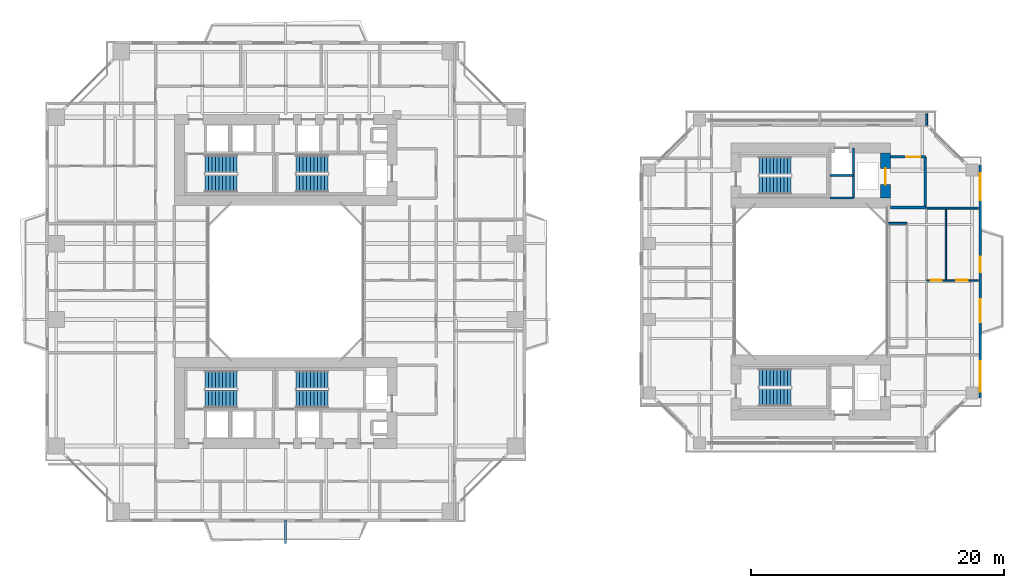
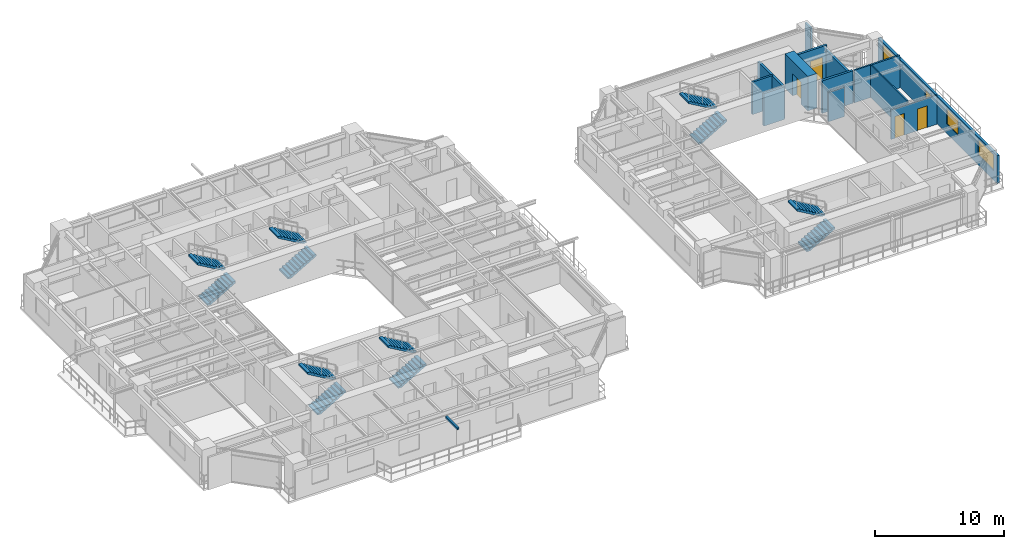
# One storey, part 18 of 23: 13 walls, 12 stair flights, 5 doors, 3 windows, 1 discrete accessory, 8 openings, 6 elements without a shape of their own.
"""IFC4 building model written with IfcOpenShell, lengths in metres."""

from ifc_helpers import new_model, si_unit, direction, frame, frame_2d, origin, origin_2d, place, context, subcontext, project, spatial, polyline, rectangle, outline, extrude, source, transform, mapped, material, layer, layer_set, type_object, element, fill, aggregate, save


model = new_model("IFC4")

# Units and contexts
model_context = context("Model", 3, precision=1e-05, world=origin(), true_north=direction((0.0, 1.0)))
body_context = subcontext(model_context, "Body", "Model", "MODEL_VIEW")
ifc_project = project(units=[si_unit("LENGTHUNIT", "METRE"), si_unit("AREAUNIT", "SQUARE_METRE"), si_unit("VOLUMEUNIT", "CUBIC_METRE"), si_unit("PLANEANGLEUNIT", "RADIAN"), si_unit("MASSUNIT", "GRAM", prefix="KILO"), si_unit("THERMODYNAMICTEMPERATUREUNIT", "KELVIN"), si_unit("POWERUNIT", "WATT")], contexts=[model_context])

# Site, building, storey
site_placement = place(None, origin())
site = spatial("IfcSite", under=ifc_project, at=site_placement, CompositionType="ELEMENT")
building_placement = place(site_placement, origin())
building = spatial("IfcBuilding", under=site, at=building_placement, Name="Qiaomeng Ring Towers", CompositionType="ELEMENT")
storey_placement = place(building_placement, frame((0.0, 0.0, 39.25)))
storey = spatial("IfcBuildingStorey", under=building, at=storey_placement, Name="L10", CompositionType="ELEMENT", Elevation=39.25)

# Wall, openings, windows, door
ifc_material_1 = material(Name="Precast concrete C40", Category="concrete")
ifc_layer_1 = layer(ifc_material_1, 0.219970703125, Name="Precast concrete C40")
ifc_layer_set_1 = layer_set([ifc_layer_1], Name="Precast concrete C40")
wall_type_1 = type_object("IfcWallType", Name="ARC-WL-EW2", PredefinedType="STANDARD", material=ifc_layer_set_1)
wall_1_placement = place(storey_placement, frame((73.889892578125, 13.800048828125, 0.0), z_axis=(0.0, 0.0, 1.0), x_axis=(0.0, 1.0, 0.0)))
wall_1 = element("IfcWall", 1, at=wall_1_placement, inside=storey, type_object=wall_type_1, Name="L10 Companion East Wall", PredefinedType="STANDARD", context=body_context, shape_type="SweptSolid", body=[
    extrude(rectangle(XDim=18.39990234375, YDim=0.219970703125, at=frame_2d((9.199951171875, 0.0))), origin(), (0.0, 0.0, 1.0), 2.610107421875),
])
opening_1_placement = place(wall_1_placement, frame((9.949951171875, 0.0, 0.0)))
opening_1 = element("IfcOpeningElement", 2, at=opening_1_placement, cuts=wall_1, Name="Opening BD1", PredefinedType="OPENING", context=body_context, shape_type="SweptSolid", body=[
    extrude(rectangle(XDim=1.199951171875, YDim=2.10009765625, at=frame_2d((0.60009765625, 1.050048828125))), frame((0.0, 0.119873046875, 0.0), z_axis=(0.0, -1.0, 0.0), x_axis=(1.0, 0.0, 0.0)), (0.0, 0.0, 1.0), 0.239990234375),
])
opening_2_placement = place(wall_1_placement, frame((0.507568359375, 0.0, 0.89990234375)))
opening_2 = element("IfcOpeningElement", 3, at=opening_2_placement, cuts=wall_1, Name="Opening WN6", PredefinedType="OPENING", context=body_context, shape_type="SweptSolid", body=[
    extrude(rectangle(XDim=2.39990234375, YDim=1.5, at=frame_2d((1.199951171875, 0.75))), frame((0.0, 0.119873046875, 0.0), z_axis=(0.0, -1.0, 0.0), x_axis=(1.0, 0.0, 0.0)), (0.0, 0.0, 1.0), 0.239990234375),
])
opening_3_placement = place(wall_1_placement, frame((6.0, 0.0, 0.89990234375)))
opening_3 = element("IfcOpeningElement", 4, at=opening_3_placement, cuts=wall_1, Name="Opening WN1", PredefinedType="OPENING", context=body_context, shape_type="SweptSolid", body=[
    extrude(rectangle(XDim=1.800048828125, YDim=1.449951171875, at=frame_2d((0.89990234375, 0.72509765625))), frame((0.0, 0.119873046875, 0.0), z_axis=(0.0, -1.0, 0.0), x_axis=(1.0, 0.0, 0.0)), (0.0, 0.0, 1.0), 0.239990234375),
])
opening_4_placement = place(wall_1_placement, frame((15.642578125, 0.0, 0.89990234375)))
opening_4 = element("IfcOpeningElement", 5, at=opening_4_placement, cuts=wall_1, Name="Opening WN4", PredefinedType="OPENING", context=body_context, shape_type="SweptSolid", body=[
    extrude(rectangle(XDim=2.10009765625, YDim=1.5, at=frame_2d((1.050048828125, 0.75))), frame((0.0, 0.119873046875, 0.0), z_axis=(0.0, -1.0, 0.0), x_axis=(1.0, 0.0, 0.0)), (0.0, 0.0, 1.0), 0.239990234375),
])
ifc_material_2 = material(Name="Low-E dark-grey laminated double glazing", Category="glass")
window_type_1 = type_object("IfcWindowType", Name="ARC-WN-4", PartitioningType="TRIPLE_PANEL_VERTICAL", PredefinedType="WINDOW", material=ifc_material_2)
shared_shape_1 = source(origin(), body_context, "Body", "SweptSolid", [
    extrude(rectangle(XDim=2.10009765625, YDim=1.5, at=frame_2d((1.050048828125, 0.75))), frame((0.0, 0.030029296875, 0.0), z_axis=(0.0, -1.0, 0.0), x_axis=(1.0, 0.0, 0.0)), (0.0, 0.0, 1.0), 0.06005859375),
])
window_1_placement = place(opening_4_placement, origin())
window_1 = element("IfcWindow", 6, at=window_1_placement, inside=storey, type_object=window_type_1, Name="L10 Exterior Window WN4", OverallHeight=1.5, OverallWidth=2.10009765625, PartitioningType="TRIPLE_PANEL_VERTICAL", PredefinedType="WINDOW", context=body_context, shape_type="MappedRepresentation", body=[
    mapped(shared_shape_1, transform((0.0, 0.0, 0.0), x_axis=(1.0, 0.0, 0.0), y_axis=(0.0, 1.0, 0.0), z_axis=(0.0, 0.0, 1.0), scale=1.0)),
])
fill(opening_4, window_1)
window_type_2 = type_object("IfcWindowType", Name="ARC-WN-1", PartitioningType="DOUBLE_PANEL_VERTICAL", PredefinedType="WINDOW", material=ifc_material_2)
shared_shape_2 = source(origin(), body_context, "Body", "SweptSolid", [
    extrude(rectangle(XDim=1.800048828125, YDim=1.449951171875, at=frame_2d((0.89990234375, 0.72509765625))), frame((0.0, 0.030029296875, 0.0), z_axis=(0.0, -1.0, 0.0), x_axis=(1.0, 0.0, 0.0)), (0.0, 0.0, 1.0), 0.06005859375),
])
window_2_placement = place(opening_3_placement, origin())
window_2 = element("IfcWindow", 7, at=window_2_placement, inside=storey, type_object=window_type_2, Name="L10 Exterior Window WN1", OverallHeight=1.449951171875, OverallWidth=1.800048828125, PartitioningType="DOUBLE_PANEL_VERTICAL", PredefinedType="WINDOW", context=body_context, shape_type="MappedRepresentation", body=[
    mapped(shared_shape_2, transform((0.0, 0.0, 0.0), x_axis=(1.0, 0.0, 0.0), y_axis=(0.0, 1.0, 0.0), z_axis=(0.0, 0.0, 1.0), scale=1.0)),
])
fill(opening_3, window_2)
door_type_1 = type_object("IfcDoorType", Name="ARC-DR-BD1", OperationType="NOTDEFINED", PredefinedType="DOOR", material=ifc_material_2)
shared_shape_3 = source(origin(), body_context, "Body", "SweptSolid", [
    extrude(rectangle(XDim=1.199951171875, YDim=2.10009765625, at=frame_2d((0.60009765625, 1.050048828125))), frame((0.0, 0.02490234375, 0.0), z_axis=(0.0, -1.0, 0.0), x_axis=(1.0, 0.0, 0.0)), (0.0, 0.0, 1.0), 0.050048828125),
])
door_1_placement = place(opening_1_placement, origin())
door_1 = element("IfcDoor", 8, at=door_1_placement, inside=storey, type_object=door_type_1, Name="L10 Companion East Balcony Door", OperationType="SINGLE_SWING_LEFT", OverallHeight=2.10009765625, OverallWidth=1.199951171875, PredefinedType="DOOR", context=body_context, shape_type="MappedRepresentation", body=[
    mapped(shared_shape_3, transform((0.0, 0.0, 0.0), x_axis=(1.0, 0.0, 0.0), y_axis=(0.0, 1.0, 0.0), z_axis=(0.0, 0.0, 1.0), scale=1.0)),
])
fill(opening_1, door_1)
window_type_3 = type_object("IfcWindowType", Name="ARC-WN-6", PartitioningType="TRIPLE_PANEL_VERTICAL", PredefinedType="WINDOW", material=ifc_material_2)
shared_shape_4 = source(origin(), body_context, "Body", "SweptSolid", [
    extrude(rectangle(XDim=2.39990234375, YDim=1.5, at=frame_2d((1.199951171875, 0.75))), frame((0.0, 0.030029296875, 0.0), z_axis=(0.0, -1.0, 0.0), x_axis=(1.0, 0.0, 0.0)), (0.0, 0.0, 1.0), 0.06005859375),
])
window_3_placement = place(opening_2_placement, origin())
window_3 = element("IfcWindow", 9, at=window_3_placement, inside=storey, type_object=window_type_3, Name="L10 Exterior Window WN6", OverallHeight=1.5, OverallWidth=2.39990234375, PartitioningType="TRIPLE_PANEL_VERTICAL", PredefinedType="WINDOW", context=body_context, shape_type="MappedRepresentation", body=[
    mapped(shared_shape_4, transform((0.0, 0.0, 0.0), x_axis=(1.0, 0.0, 0.0), y_axis=(0.0, 1.0, 0.0), z_axis=(0.0, 0.0, 1.0), scale=1.0)),
])
fill(opening_2, window_3)

# Walls
ifc_material_3 = material(Name="Autoclaved aerated concrete block", Category="concrete")
ifc_layer_2 = layer(ifc_material_3, 0.199951171875, Name="Autoclaved aerated concrete block")
ifc_layer_set_2 = layer_set([ifc_layer_2], Name="Autoclaved aerated concrete block")
wall_type_2 = type_object("IfcWallType", Name="ARC-WL-PW1", PredefinedType="PARTITIONING", material=ifc_layer_set_2)
wall_2_placement = place(storey_placement, frame((66.800048828125, 28.85009765625, 0.0), z_axis=(0.0, 0.0, 1.0), x_axis=(1.0, 0.0, 0.0)))
element("IfcWall", 10, at=wall_2_placement, inside=storey, type_object=wall_type_2, Name="L10 Interior Wall PW1", PredefinedType="PARTITIONING", context=body_context, shape_type="SweptSolid", body=[
    extrude(rectangle(XDim=2.75, YDim=0.199951171875, at=frame_2d((1.375, 0.0))), origin(), (0.0, 0.0, 1.0), 3.070068359375),
])
wall_3_placement = place(storey_placement, frame((69.550048828125, 28.85009765625, 0.0), z_axis=(0.0, 0.0, 1.0), x_axis=(0.0, 1.0, 0.0)))
element("IfcWall", 11, at=wall_3_placement, inside=storey, type_object=wall_type_2, Name="L10 Interior Wall PW1", PredefinedType="PARTITIONING", context=body_context, shape_type="SweptSolid", body=[
    extrude(rectangle(XDim=4.0, YDim=0.199951171875, at=frame_2d((2.0, 0.0))), origin(), (0.0, 0.0, 1.0), 2.614990234375),
])

# Wall, opening, door
wall_4_placement = place(storey_placement, frame((66.800048828125, 32.85009765625, 0.0), z_axis=(0.0, 0.0, 1.0), x_axis=(1.0, 0.0, 0.0)))
wall_4 = element("IfcWall", 12, at=wall_4_placement, inside=storey, type_object=wall_type_2, Name="L10 Interior Wall PW1", PredefinedType="PARTITIONING", context=body_context, shape_type="SweptSolid", body=[
    extrude(rectangle(XDim=2.75, YDim=0.199951171875, at=frame_2d((1.375, 0.0))), origin(), (0.0, 0.0, 1.0), 3.070068359375),
])
opening_5_placement = place(wall_4_placement, frame((1.25, 0.0, 0.0)))
opening_5 = element("IfcOpeningElement", 13, at=opening_5_placement, cuts=wall_4, Name="Opening FD3", PredefinedType="OPENING", context=body_context, shape_type="SweptSolid", body=[
    extrude(rectangle(XDim=1.10009765625, YDim=2.050048828125, at=frame_2d((0.550048828125, 1.02490234375))), frame((0.0, 0.10986328125, 0.0), z_axis=(0.0, -1.0, 0.0), x_axis=(1.0, 0.0, 0.0)), (0.0, 0.0, 1.0), 0.219970703125),
])
ifc_material_4 = material(Name="Galvanised steel", Category="steel")
door_type_2 = type_object("IfcDoorType", Name="ARC-DR-FD3", OperationType="NOTDEFINED", PredefinedType="DOOR", material=ifc_material_4)
shared_shape_5 = source(origin(), body_context, "Body", "SweptSolid", [
    extrude(rectangle(XDim=1.10009765625, YDim=2.050048828125, at=frame_2d((0.550048828125, 1.02490234375))), frame((0.0, 0.02490234375, 0.0), z_axis=(0.0, -1.0, 0.0), x_axis=(1.0, 0.0, 0.0)), (0.0, 0.0, 1.0), 0.050048828125),
])
door_2_placement = place(opening_5_placement, origin())
door_2 = element("IfcDoor", 14, at=door_2_placement, inside=storey, type_object=door_type_2, Name="L10 Door FD3", OperationType="SINGLE_SWING_LEFT", OverallHeight=2.050048828125, OverallWidth=1.10009765625, PredefinedType="DOOR", context=body_context, shape_type="MappedRepresentation", body=[
    mapped(shared_shape_5, transform((0.0, 0.0, 0.0), x_axis=(1.0, 0.0, 0.0), y_axis=(0.0, 1.0, 0.0), z_axis=(0.0, 0.0, 1.0), scale=1.0)),
])
fill(opening_5, door_2)

# Walls
ifc_material_5 = material(Name="Gypsum fireboard steel-stud partition", Category="steel")
ifc_layer_3 = layer(ifc_material_5, 0.14990234375, Name="Gypsum fireboard steel-stud partition")
ifc_layer_set_3 = layer_set([ifc_layer_3], Name="Gypsum fireboard steel-stud partition")
wall_type_3 = type_object("IfcWallType", Name="ARC-WL-PW3", PredefinedType="PARTITIONING", material=ifc_layer_set_3)
wall_5_placement = place(storey_placement, frame((69.64990234375, 28.800048828125, 0.0), z_axis=(0.0, 0.0, 1.0), x_axis=(1.0, 0.0, 0.0)))
element("IfcWall", 15, at=wall_5_placement, inside=storey, type_object=wall_type_3, Name="L10 Interior Wall PW3", PredefinedType="PARTITIONING", context=body_context, shape_type="SweptSolid", body=[
    extrude(rectangle(XDim=4.10009765625, YDim=0.14990234375, at=frame_2d((2.050048828125, 0.0))), origin(), (0.0, 0.0, 1.0), 3.070068359375),
])
wall_6_placement = place(storey_placement, frame((66.64990234375, 27.60009765625, 0.0), z_axis=(0.0, 0.0, 1.0), x_axis=(1.0, 0.0, 0.0)))
element("IfcWall", 16, at=wall_6_placement, inside=storey, type_object=wall_type_3, Name="L10 Interior Wall PW3", PredefinedType="PARTITIONING", context=body_context, shape_type="SweptSolid", body=[
    extrude(rectangle(XDim=1.4501953125, YDim=0.14990234375, at=frame_2d((0.72509765625, 0.0))), origin(), (0.0, 0.0, 1.0), 2.764892578125),
])
wall_7_placement = place(storey_placement, frame((69.64990234375, 35.35009765625, 0.0), z_axis=(0.0, 0.0, 1.0), x_axis=(0.0, 1.0, 0.0)))
element("IfcWall", 17, at=wall_7_placement, inside=storey, type_object=wall_type_3, Name="L10 Interior Wall PW3", PredefinedType="PARTITIONING", context=body_context, shape_type="SweptSolid", body=[
    extrude(rectangle(XDim=0.89990234375, YDim=0.14990234375, at=frame_2d((0.449951171875, 0.0))), origin(), (0.0, 0.0, 1.0), 3.070068359375),
])

# Wall, openings, doors
ifc_material_6 = material(Name="Moisture-resistant gypsum steel-stud partition", Category="steel")
ifc_layer_4 = layer(ifc_material_6, 0.1201171875, Name="Moisture-resistant gypsum steel-stud partition")
ifc_layer_set_4 = layer_set([ifc_layer_4], Name="Moisture-resistant gypsum steel-stud partition")
wall_type_4 = type_object("IfcWallType", Name="ARC-WL-PW4", PredefinedType="PLUMBINGWALL", material=ifc_layer_set_4)
wall_8_placement = place(storey_placement, frame((69.64990234375, 23.10009765625, 0.0), z_axis=(0.0, 0.0, 1.0), x_axis=(1.0, 0.0, 0.0)))
wall_8 = element("IfcWall", 18, at=wall_8_placement, inside=storey, type_object=wall_type_4, Name="L10 Interior Wall PW4", PredefinedType="PLUMBINGWALL", context=body_context, shape_type="SweptSolid", body=[
    extrude(rectangle(XDim=4.10009765625, YDim=0.1201171875, at=frame_2d((2.050048828125, 0.0))), origin(), (0.0, 0.0, 1.0), 2.764892578125),
])
opening_6_placement = place(wall_8_placement, frame((0.344970703125, 0.0, 0.0)))
opening_6 = element("IfcOpeningElement", 19, at=opening_6_placement, cuts=wall_8, Name="Opening ID2", PredefinedType="OPENING", context=body_context, shape_type="SweptSolid", body=[
    extrude(rectangle(XDim=0.85009765625, YDim=2.050048828125, at=frame_2d((0.425048828125, 1.02490234375))), frame((0.0, 0.070068359375, 0.0), z_axis=(0.0, -1.0, 0.0), x_axis=(1.0, 0.0, 0.0)), (0.0, 0.0, 1.0), 0.14013671875),
])
opening_7_placement = place(wall_8_placement, frame((2.35009765625, 0.0, 0.0)))
opening_7 = element("IfcOpeningElement", 20, at=opening_7_placement, cuts=wall_8, Name="Opening ID1", PredefinedType="OPENING", context=body_context, shape_type="SweptSolid", body=[
    extrude(rectangle(XDim=0.89990234375, YDim=2.050048828125, at=frame_2d((0.449951171875, 1.02490234375))), frame((0.0, 0.070068359375, 0.0), z_axis=(0.0, -1.0, 0.0), x_axis=(1.0, 0.0, 0.0)), (0.0, 0.0, 1.0), 0.14013671875),
])
ifc_material_7 = material(Name="Moisture-resistant engineered timber", Category="wood")
door_type_3 = type_object("IfcDoorType", Name="ARC-DR-ID2", OperationType="NOTDEFINED", PredefinedType="DOOR", material=ifc_material_7)
shared_shape_6 = source(origin(), body_context, "Body", "SweptSolid", [
    extrude(rectangle(XDim=0.85009765625, YDim=2.050048828125, at=frame_2d((0.425048828125, 1.02490234375))), frame((0.0, 0.02490234375, 0.0), z_axis=(0.0, -1.0, 0.0), x_axis=(1.0, 0.0, 0.0)), (0.0, 0.0, 1.0), 0.050048828125),
])
door_3_placement = place(opening_6_placement, origin())
door_3 = element("IfcDoor", 21, at=door_3_placement, inside=storey, type_object=door_type_3, Name="L10 Door ID2", OperationType="SINGLE_SWING_LEFT", OverallHeight=2.050048828125, OverallWidth=0.85009765625, PredefinedType="DOOR", context=body_context, shape_type="MappedRepresentation", body=[
    mapped(shared_shape_6, transform((0.0, 0.0, 0.0), x_axis=(1.0, 0.0, 0.0), y_axis=(0.0, 1.0, 0.0), z_axis=(0.0, 0.0, 1.0), scale=1.0)),
])
fill(opening_6, door_3)
ifc_material_8 = material(Name="Engineered oak timber", Category="wood")
door_type_4 = type_object("IfcDoorType", Name="ARC-DR-ID1", OperationType="NOTDEFINED", PredefinedType="DOOR", material=ifc_material_8)
shared_shape_7 = source(origin(), body_context, "Body", "SweptSolid", [
    extrude(rectangle(XDim=0.89990234375, YDim=2.050048828125, at=frame_2d((0.449951171875, 1.02490234375))), frame((0.0, 0.02490234375, 0.0), z_axis=(0.0, -1.0, 0.0), x_axis=(1.0, 0.0, 0.0)), (0.0, 0.0, 1.0), 0.050048828125),
])
door_4_placement = place(opening_7_placement, origin())
door_4 = element("IfcDoor", 22, at=door_4_placement, inside=storey, type_object=door_type_4, Name="L10 Door ID1", OperationType="SINGLE_SWING_RIGHT", OverallHeight=2.050048828125, OverallWidth=0.89990234375, PredefinedType="DOOR", context=body_context, shape_type="MappedRepresentation", body=[
    mapped(shared_shape_7, transform((0.0, 0.0, 0.0), x_axis=(1.0, 0.0, 0.0), y_axis=(0.0, 1.0, 0.0), z_axis=(0.0, 0.0, 1.0), scale=1.0)),
])
fill(opening_7, door_4)

# Walls
wall_9_placement = place(storey_placement, frame((71.169921875, 23.10009765625, 0.0), z_axis=(0.0, 0.0, 1.0), x_axis=(0.0, 1.0, 0.0)))
element("IfcWall", 23, at=wall_9_placement, inside=storey, type_object=wall_type_4, Name="L10 Interior Wall PW4", PredefinedType="PLUMBINGWALL", context=body_context, shape_type="SweptSolid", body=[
    extrude(rectangle(XDim=5.699951171875, YDim=0.1201171875, at=frame_2d((2.85009765625, 0.0))), origin(), (0.0, 0.0, 1.0), 3.070068359375),
])
ifc_material_9 = material(Name="Concrete C40", Category="concrete")
ifc_layer_5 = layer(ifc_material_9, 0.199951171875, Name="Concrete C40")
ifc_layer_set_5 = layer_set([ifc_layer_5], Name="Concrete C40")
wall_type_5 = type_object("IfcWallType", Name="STR-WL-STSHAFT", PredefinedType="SHEAR", material=ifc_layer_set_5)
wall_10_placement = place(storey_placement, frame((63.8798828125, 29.60009765625, 0.0), z_axis=(0.0, 0.0, 1.0), x_axis=(0.0, 1.0, 0.0)))
element("IfcWall", 24, at=wall_10_placement, inside=storey, type_object=wall_type_5, Name="L10 Companion Lift Shaft East Wall N", PredefinedType="SHEAR", context=body_context, shape_type="SweptSolid", body=[
    extrude(rectangle(XDim=3.949951171875, YDim=0.179931640625, at=frame_2d((1.97509765625, 0.0))), origin(), (0.0, 0.0, 1.0), 3.070068359375),
])
for number, where, z_axis, x_axis, name in (
    (25, (62.02001953125, 31.3798828125, 0.0), (0.0, 0.0, 1.0), (1.0, 0.0, 0.0), "L10 Companion Lift Shaft Divider Wall N"),
    (26, (62.02001953125, 29.60009765625, 0.0), (0.0, 0.0, 1.0), (1.0, 0.0, 0.0), "L10 Companion Riser Shaft Back Wall N"),
):
    element("IfcWall", number, at=place(storey_placement, frame(where, z_axis=z_axis, x_axis=x_axis)), inside=storey, type_object=wall_type_5, Name=name, PredefinedType="SHEAR", context=body_context, shape_type="SweptSolid", body=[
        extrude(rectangle(XDim=1.85986328125, YDim=0.179931640625, at=frame_2d((0.929931640625, 0.0))), origin(), (0.0, 0.0, 1.0), 3.070068359375),
    ])

# Wall, opening, door
ifc_material_10 = material(Name="Concrete C60", Category="concrete")
ifc_layer_6 = layer(ifc_material_10, 0.800048828125, Name="Concrete C60")
ifc_layer_set_6 = layer_set([ifc_layer_6], Name="Concrete C60")
wall_type_6 = type_object("IfcWallType", Name="STR-WL-SW1", PredefinedType="SHEAR", material=ifc_layer_set_6)
wall_11_placement = place(storey_placement, frame((66.39990234375, 29.60009765625, 0.0), z_axis=(0.0, 0.0, 1.0), x_axis=(0.0, 1.0, 0.0)))
wall_11 = element("IfcWall", 27, at=wall_11_placement, inside=storey, type_object=wall_type_6, Name="L10 T2NC east core shear wall", PredefinedType="SHEAR", context=body_context, shape_type="SweptSolid", body=[
    extrude(rectangle(XDim=3.5498046875, YDim=0.800048828125, at=frame_2d((1.77490234375, 0.0))), origin(), (0.0, 0.0, 1.0), 3.25),
])
opening_8_placement = place(wall_11_placement, frame((1.050048828125, 0.0, 0.0)))
opening_8 = element("IfcOpeningElement", 28, at=opening_8_placement, cuts=wall_11, Name="Opening LD2", PredefinedType="OPENING", context=body_context, shape_type="SweptSolid", body=[
    extrude(rectangle(XDim=1.300048828125, YDim=2.050048828125, at=frame_2d((0.64990234375, 1.02490234375))), frame((0.0, 0.409912109375, 0.0), z_axis=(0.0, -1.0, 0.0), x_axis=(1.0, 0.0, 0.0)), (0.0, 0.0, 1.0), 0.820068359375),
])
ifc_material_11 = material(Name="Stainless steel 316", Category="steel")
door_type_5 = type_object("IfcDoorType", Name="ARC-DR-LD2", OperationType="NOTDEFINED", PredefinedType="DOOR", material=ifc_material_11)
shared_shape_8 = source(origin(), body_context, "Body", "SweptSolid", [
    extrude(rectangle(XDim=1.300048828125, YDim=2.050048828125, at=frame_2d((0.64990234375, 1.02490234375))), frame((0.0, 0.02490234375, 0.0), z_axis=(0.0, -1.0, 0.0), x_axis=(1.0, 0.0, 0.0)), (0.0, 0.0, 1.0), 0.050048828125),
])
door_5_placement = place(opening_8_placement, origin())
door_5 = element("IfcDoor", 29, at=door_5_placement, inside=storey, type_object=door_type_5, Name="L10 Firefighting Lift FL3 Landing Door", OperationType="SLIDING_TO_LEFT", OverallHeight=2.050048828125, OverallWidth=1.300048828125, PredefinedType="DOOR", context=body_context, shape_type="MappedRepresentation", body=[
    mapped(shared_shape_8, transform((0.0, 0.0, 0.0), x_axis=(1.0, 0.0, 0.0), y_axis=(0.0, 1.0, 0.0), z_axis=(0.0, 0.0, 1.0), scale=1.0)),
])
fill(opening_8, door_5)

# Stair, stair flights
stair_type = type_object("IfcStairType", Name="ARC-ST-325", PredefinedType="HALF_TURN_STAIR", material=ifc_material_1)
stair_1_placement = place(storey_placement, origin())
stair_1 = element("IfcStair", 30, at=stair_1_placement, inside=storey, type_object=stair_type, Name="L10 Tower 1 North Stair 1", PredefinedType="HALF_TURN_STAIR")
stair_flight_type = type_object("IfcStairFlightType", Name="ARC-ST-325-FL", PredefinedType="STRAIGHT", material=ifc_material_1)
shared_shape_9 = source(origin(), body_context, "Body", "SweptSolid", [
    extrude(outline(polyline([(0.0, 0.0), (0.0, 0.16259765625), (0.280029296875, 0.16259765625), (0.280029296875, 0.324951171875), (0.56005859375, 0.324951171875), (0.56005859375, 0.487548828125), (0.840087890625, 0.487548828125), (0.840087890625, 0.64990234375), (1.1201171875, 0.64990234375), (1.1201171875, 0.8125), (1.39990234375, 0.8125), (1.39990234375, 0.97509765625), (1.679931640625, 0.97509765625), (1.679931640625, 1.137451171875), (1.9599609375, 1.137451171875), (1.9599609375, 1.300048828125), (2.239990234375, 1.300048828125), (2.239990234375, 1.46240234375), (2.52001953125, 1.46240234375), (2.52001953125, 1.625), (2.52001953125, 1.2890625), (0.298583984375, 0.0), (0.0, 0.0)])), frame((0.0, 0.699951171875, 0.0), z_axis=(0.0, -1.0, 0.0), x_axis=(1.0, 0.0, 0.0)), (0.0, 0.0, 1.0), 1.39990234375),
])
stair_flight_1_placement = place(storey_placement, frame((12.6201171875, 30.75, 0.0), z_axis=(0.0, 0.0, 1.0), x_axis=(1.0, 0.0, 0.0)))
stair_flight_1 = element("IfcStairFlight", 31, at=stair_flight_1_placement, type_object=stair_flight_type, Name="ST1 flight 1", NumberOfRisers=10, NumberOfTreads=9, PredefinedType="STRAIGHT", RiserHeight=0.1625, TreadLength=0.28, context=body_context, shape_type="MappedRepresentation", body=[
    mapped(shared_shape_9, transform((0.0, 0.0, 0.0), x_axis=(1.0, 0.0, 0.0), y_axis=(0.0, 1.0, 0.0), z_axis=(0.0, 0.0, 1.0), scale=1.0)),
])
stair_flight_2_placement = place(storey_placement, frame((15.139892578125, 32.2900390625, 1.625), z_axis=(0.0, 0.0, 1.0), x_axis=(-1.0, 0.0, 0.0)))
stair_flight_2 = element("IfcStairFlight", 32, at=stair_flight_2_placement, type_object=stair_flight_type, Name="ST1 flight 2", NumberOfRisers=10, NumberOfTreads=9, PredefinedType="STRAIGHT", RiserHeight=0.1625, TreadLength=0.28, context=body_context, shape_type="MappedRepresentation", body=[
    mapped(shared_shape_9, transform((0.0, 0.0, 0.0), x_axis=(1.0, 0.0, 0.0), y_axis=(0.0, 1.0, 0.0), z_axis=(0.0, 0.0, 1.0), scale=1.0)),
])
aggregate(stair_1, [stair_flight_1, stair_flight_2])

stair_2_placement = place(storey_placement, origin())
stair_2 = element("IfcStair", 33, at=stair_2_placement, inside=storey, type_object=stair_type, Name="L10 Tower 1 North Stair 2", PredefinedType="HALF_TURN_STAIR")
stair_flight_3_placement = place(storey_placement, frame((19.820068359375, 30.75, 0.0), z_axis=(0.0, 0.0, 1.0), x_axis=(1.0, 0.0, 0.0)))
stair_flight_3 = element("IfcStairFlight", 34, at=stair_flight_3_placement, type_object=stair_flight_type, Name="ST2 flight 1", NumberOfRisers=10, NumberOfTreads=9, PredefinedType="STRAIGHT", RiserHeight=0.1625, TreadLength=0.28, context=body_context, shape_type="MappedRepresentation", body=[
    mapped(shared_shape_9, transform((0.0, 0.0, 0.0), x_axis=(1.0, 0.0, 0.0), y_axis=(0.0, 1.0, 0.0), z_axis=(0.0, 0.0, 1.0), scale=1.0)),
])
stair_flight_4_placement = place(storey_placement, frame((22.340087890625, 32.2900390625, 1.625), z_axis=(0.0, 0.0, 1.0), x_axis=(-1.0, 0.0, 0.0)))
stair_flight_4 = element("IfcStairFlight", 35, at=stair_flight_4_placement, type_object=stair_flight_type, Name="ST2 flight 2", NumberOfRisers=10, NumberOfTreads=9, PredefinedType="STRAIGHT", RiserHeight=0.1625, TreadLength=0.28, context=body_context, shape_type="MappedRepresentation", body=[
    mapped(shared_shape_9, transform((0.0, 0.0, 0.0), x_axis=(1.0, 0.0, 0.0), y_axis=(0.0, 1.0, 0.0), z_axis=(0.0, 0.0, 1.0), scale=1.0)),
])
aggregate(stair_2, [stair_flight_3, stair_flight_4])

stair_3_placement = place(storey_placement, origin())
stair_3 = element("IfcStair", 36, at=stair_3_placement, inside=storey, type_object=stair_type, Name="L10 Tower 1 South Stair 3", PredefinedType="HALF_TURN_STAIR")
stair_flight_5_placement = place(storey_placement, frame((12.6201171875, 13.7099609375, 0.0), z_axis=(0.0, 0.0, 1.0), x_axis=(1.0, 0.0, 0.0)))
stair_flight_5 = element("IfcStairFlight", 37, at=stair_flight_5_placement, type_object=stair_flight_type, Name="ST3 flight 1", NumberOfRisers=10, NumberOfTreads=9, PredefinedType="STRAIGHT", RiserHeight=0.1625, TreadLength=0.28, context=body_context, shape_type="MappedRepresentation", body=[
    mapped(shared_shape_9, transform((0.0, 0.0, 0.0), x_axis=(1.0, 0.0, 0.0), y_axis=(0.0, 1.0, 0.0), z_axis=(0.0, 0.0, 1.0), scale=1.0)),
])
stair_flight_6_placement = place(storey_placement, frame((15.139892578125, 15.25, 1.625), z_axis=(0.0, 0.0, 1.0), x_axis=(-1.0, 0.0, 0.0)))
stair_flight_6 = element("IfcStairFlight", 38, at=stair_flight_6_placement, type_object=stair_flight_type, Name="ST3 flight 2", NumberOfRisers=10, NumberOfTreads=9, PredefinedType="STRAIGHT", RiserHeight=0.1625, TreadLength=0.28, context=body_context, shape_type="MappedRepresentation", body=[
    mapped(shared_shape_9, transform((0.0, 0.0, 0.0), x_axis=(1.0, 0.0, 0.0), y_axis=(0.0, 1.0, 0.0), z_axis=(0.0, 0.0, 1.0), scale=1.0)),
])
aggregate(stair_3, [stair_flight_5, stair_flight_6])

stair_4_placement = place(storey_placement, origin())
stair_4 = element("IfcStair", 39, at=stair_4_placement, inside=storey, type_object=stair_type, Name="L10 Tower 1 South Stair 4", PredefinedType="HALF_TURN_STAIR")
stair_flight_7_placement = place(storey_placement, frame((19.820068359375, 13.7099609375, 0.0), z_axis=(0.0, 0.0, 1.0), x_axis=(1.0, 0.0, 0.0)))
stair_flight_7 = element("IfcStairFlight", 40, at=stair_flight_7_placement, type_object=stair_flight_type, Name="ST4 flight 1", NumberOfRisers=10, NumberOfTreads=9, PredefinedType="STRAIGHT", RiserHeight=0.1625, TreadLength=0.28, context=body_context, shape_type="MappedRepresentation", body=[
    mapped(shared_shape_9, transform((0.0, 0.0, 0.0), x_axis=(1.0, 0.0, 0.0), y_axis=(0.0, 1.0, 0.0), z_axis=(0.0, 0.0, 1.0), scale=1.0)),
])
stair_flight_8_placement = place(storey_placement, frame((22.340087890625, 15.25, 1.625), z_axis=(0.0, 0.0, 1.0), x_axis=(-1.0, 0.0, 0.0)))
stair_flight_8 = element("IfcStairFlight", 41, at=stair_flight_8_placement, type_object=stair_flight_type, Name="ST4 flight 2", NumberOfRisers=10, NumberOfTreads=9, PredefinedType="STRAIGHT", RiserHeight=0.1625, TreadLength=0.28, context=body_context, shape_type="MappedRepresentation", body=[
    mapped(shared_shape_9, transform((0.0, 0.0, 0.0), x_axis=(1.0, 0.0, 0.0), y_axis=(0.0, 1.0, 0.0), z_axis=(0.0, 0.0, 1.0), scale=1.0)),
])
aggregate(stair_4, [stair_flight_7, stair_flight_8])

stair_5_placement = place(storey_placement, origin())
stair_5 = element("IfcStair", 42, at=stair_5_placement, inside=storey, type_object=stair_type, Name="L10 Companion North Stair 5", PredefinedType="HALF_TURN_STAIR")
stair_flight_9_placement = place(storey_placement, frame((56.419921875, 30.60009765625, 0.0), z_axis=(0.0, 0.0, 1.0), x_axis=(1.0, 0.0, 0.0)))
stair_flight_9 = element("IfcStairFlight", 43, at=stair_flight_9_placement, type_object=stair_flight_type, Name="ST5 flight 1", NumberOfRisers=10, NumberOfTreads=9, PredefinedType="STRAIGHT", RiserHeight=0.1625, TreadLength=0.28, context=body_context, shape_type="MappedRepresentation", body=[
    mapped(shared_shape_9, transform((0.0, 0.0, 0.0), x_axis=(1.0, 0.0, 0.0), y_axis=(0.0, 1.0, 0.0), z_axis=(0.0, 0.0, 1.0), scale=1.0)),
])
stair_flight_10_placement = place(storey_placement, frame((58.93994140625, 32.139892578125, 1.625), z_axis=(0.0, 0.0, 1.0), x_axis=(-1.0, 0.0, 0.0)))
stair_flight_10 = element("IfcStairFlight", 44, at=stair_flight_10_placement, type_object=stair_flight_type, Name="ST5 flight 2", NumberOfRisers=10, NumberOfTreads=9, PredefinedType="STRAIGHT", RiserHeight=0.1625, TreadLength=0.28, context=body_context, shape_type="MappedRepresentation", body=[
    mapped(shared_shape_9, transform((0.0, 0.0, 0.0), x_axis=(1.0, 0.0, 0.0), y_axis=(0.0, 1.0, 0.0), z_axis=(0.0, 0.0, 1.0), scale=1.0)),
])
aggregate(stair_5, [stair_flight_9, stair_flight_10])

stair_6_placement = place(storey_placement, origin())
stair_6 = element("IfcStair", 45, at=stair_6_placement, inside=storey, type_object=stair_type, Name="L10 Companion South Stair 6", PredefinedType="HALF_TURN_STAIR")
stair_flight_11_placement = place(storey_placement, frame((56.419921875, 13.860107421875, 0.0), z_axis=(0.0, 0.0, 1.0), x_axis=(1.0, 0.0, 0.0)))
stair_flight_11 = element("IfcStairFlight", 46, at=stair_flight_11_placement, type_object=stair_flight_type, Name="ST6 flight 1", NumberOfRisers=10, NumberOfTreads=9, PredefinedType="STRAIGHT", RiserHeight=0.1625, TreadLength=0.28, context=body_context, shape_type="MappedRepresentation", body=[
    mapped(shared_shape_9, transform((0.0, 0.0, 0.0), x_axis=(1.0, 0.0, 0.0), y_axis=(0.0, 1.0, 0.0), z_axis=(0.0, 0.0, 1.0), scale=1.0)),
])
stair_flight_12_placement = place(storey_placement, frame((58.93994140625, 15.39990234375, 1.625), z_axis=(0.0, 0.0, 1.0), x_axis=(-1.0, 0.0, 0.0)))
stair_flight_12 = element("IfcStairFlight", 47, at=stair_flight_12_placement, type_object=stair_flight_type, Name="ST6 flight 2", NumberOfRisers=10, NumberOfTreads=9, PredefinedType="STRAIGHT", RiserHeight=0.1625, TreadLength=0.28, context=body_context, shape_type="MappedRepresentation", body=[
    mapped(shared_shape_9, transform((0.0, 0.0, 0.0), x_axis=(1.0, 0.0, 0.0), y_axis=(0.0, 1.0, 0.0), z_axis=(0.0, 0.0, 1.0), scale=1.0)),
])
aggregate(stair_6, [stair_flight_11, stair_flight_12])

# Discrete accessory
discrete_accessory_type = type_object("IfcDiscreteAccessoryType", Name="ARC-ACC-BRACKET", PredefinedType="BRACKET", material=ifc_material_11)
shared_shape_10 = source(origin(), body_context, "Body", "SweptSolid", [
    extrude(rectangle(XDim=0.159912109375, YDim=1.85009765625, at=origin_2d()), origin(), (0.0, 0.0, 1.0), 0.179931640625),
])
discrete_accessory_placement = place(storey_placement, frame((19.0, 3.22509765625, 2.89990234375), z_axis=(0.0, 0.0, 1.0), x_axis=(1.0, 0.0, 0.0)))
element("IfcDiscreteAccessory", 48, at=discrete_accessory_placement, inside=storey, type_object=discrete_accessory_type, Name="L10 Stainless Outer-Skin Tie Bracket S", PredefinedType="BRACKET", context=body_context, shape_type="MappedRepresentation", body=[
    mapped(shared_shape_10, transform((0.0, 0.0, 0.0), x_axis=(1.0, 0.0, 0.0), y_axis=(0.0, 1.0, 0.0), z_axis=(0.0, 0.0, 1.0), scale=1.0)),
])

save(model, "model.ifc")
